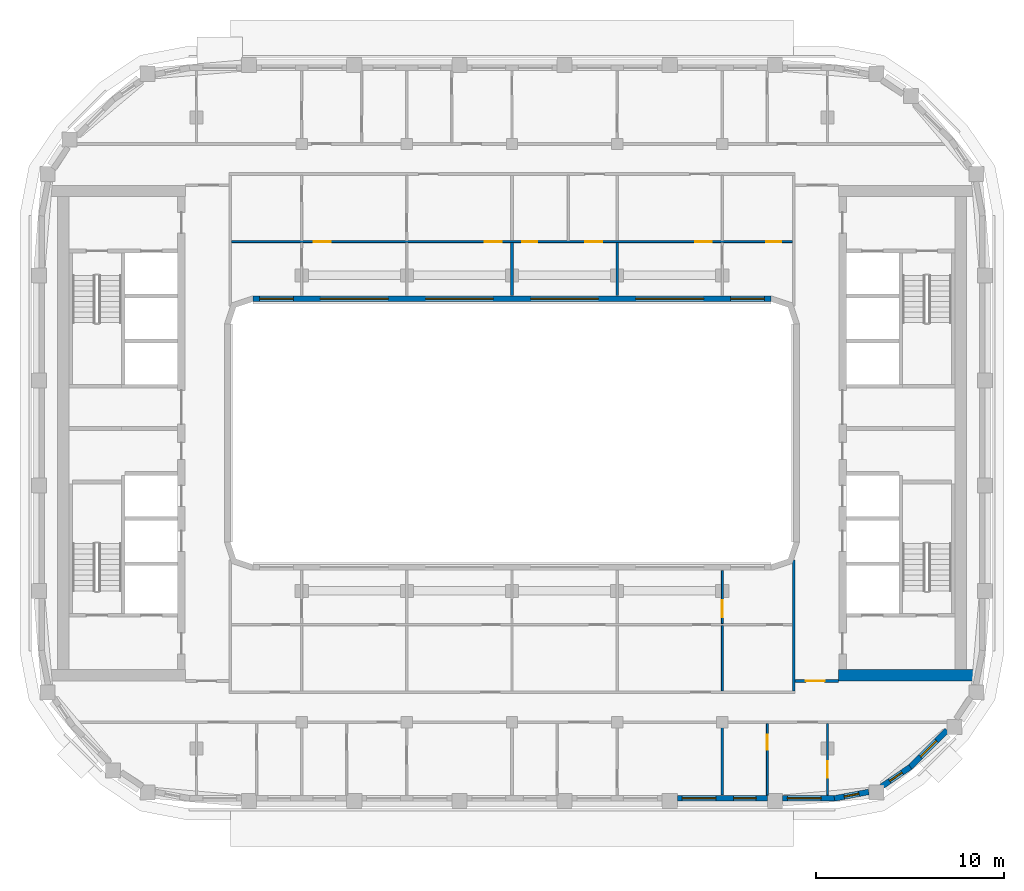
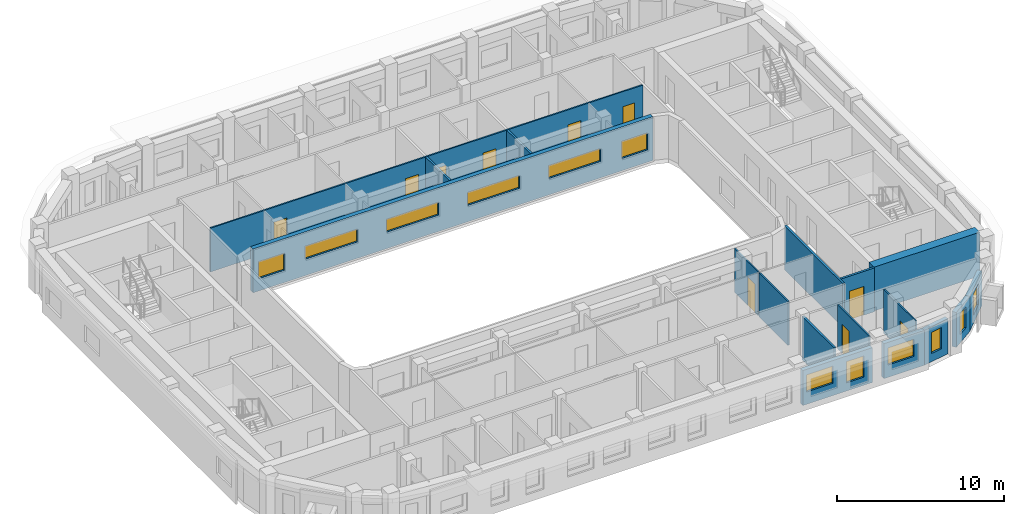
# One storey, part 5 of 16: 17 walls, 12 windows, 10 doors, 22 openings.
"""IFC4 building model written with IfcOpenShell, lengths in metres."""

from ifc_helpers import new_model, si_unit, direction, frame, frame_2d, origin, place, context, subcontext, project, spatial, rectangle, extrude, material, layer, layer_set, type_object, element, fill, save


model = new_model("IFC4")

# Units and contexts
model_context = context("Model", 3, precision=1e-05, world=origin(), true_north=direction((0.0, 1.0)))
body_context = subcontext(model_context, "Body", "Model", "MODEL_VIEW")
ifc_project = project(units=[si_unit("LENGTHUNIT", "METRE"), si_unit("AREAUNIT", "SQUARE_METRE"), si_unit("VOLUMEUNIT", "CUBIC_METRE"), si_unit("PLANEANGLEUNIT", "RADIAN"), si_unit("MASSUNIT", "GRAM", prefix="KILO")], contexts=[model_context])

# Site, building, storey
site_placement = place(None, origin())
site = spatial("IfcSite", under=ifc_project, at=site_placement, CompositionType="ELEMENT")
building_placement = place(site_placement, origin())
building = spatial("IfcBuilding", under=site, at=building_placement, Name="Kiln Ring Residences", CompositionType="ELEMENT")
storey_placement = place(building_placement, frame((0.0, 0.0, 245.199951171875)))
storey = spatial("IfcBuildingStorey", under=building, at=storey_placement, Name="L63", CompositionType="ELEMENT", Elevation=245.199951171875)

# Wall
ifc_material_1 = material(Name="Concrete C60/75", Category="concrete")
ifc_layer_1 = layer(ifc_material_1, 0.60009765625)
ifc_layer_set_1 = layer_set([ifc_layer_1], Name="CORE-WALL-RC600")
wall_type_1 = type_object("IfcWallType", Name="CORE-WALL-RC600", PredefinedType="SHEAR", material=ifc_layer_set_1)
wall_1_placement = place(storey_placement, frame((17.39990234375, -12.89990234375, 0.0), z_axis=(0.0, 0.0, 1.0), x_axis=(1.0, 0.0, 0.0)))
element("IfcWall", 1, at=wall_1_placement, inside=storey, type_object=wall_type_1, Name="Core wall east L63 5", PredefinedType="SHEAR", context=body_context, shape_type="SweptSolid", body=[
    extrude(rectangle(XDim=7.320068359375, YDim=0.60009765625, at=frame_2d((3.66015625, 0.0))), origin(), (0.0, 0.0, 1.0), 3.199951171875),
])

# Wall, openings, windows
ifc_material_2 = material(Name="Brick masonry, dark clay brick", Category="masonry")
ifc_layer_2 = layer(ifc_material_2, 0.300048828125)
ifc_layer_set_2 = layer_set([ifc_layer_2], Name="EW-300 BRICK WALL")
wall_type_2 = type_object("IfcWallType", Name="EW-300 BRICK WALL", PredefinedType="SOLIDWALL", material=ifc_layer_set_2)
wall_2_placement = place(storey_placement, frame((8.800048828125, -19.449951171875, 0.0), z_axis=(0.0, 0.0, 1.0), x_axis=(1.0, 0.0, 0.0)))
wall_2 = element("IfcWall", 2, at=wall_2_placement, inside=storey, type_object=wall_type_2, Name="Facade wall L63 9", PredefinedType="SOLIDWALL", context=body_context, shape_type="SweptSolid", body=[
    extrude(rectangle(XDim=4.800048828125, YDim=0.300048828125, at=frame_2d((2.39990234375, 0.0))), origin(), (0.0, 0.0, 1.0), 2.550048828125),
])
opening_1_placement = place(wall_2_placement, frame((0.262451171875, 0.0, 0.89990234375)))
opening_1 = element("IfcOpeningElement", 3, at=opening_1_placement, cuts=wall_2, Name="Opening W2", PredefinedType="OPENING", context=body_context, shape_type="SweptSolid", body=[
    extrude(rectangle(XDim=1.800048828125, YDim=1.25, at=frame_2d((0.89990234375, 0.625))), frame((0.0, 0.159912109375, 0.0), z_axis=(0.0, -1.0, 0.0), x_axis=(1.0, 0.0, 0.0)), (0.0, 0.0, 1.0), 0.320068359375),
])
opening_2_placement = place(wall_2_placement, frame((3.0, 0.0, 0.60009765625)))
opening_2 = element("IfcOpeningElement", 4, at=opening_2_placement, cuts=wall_2, Name="Opening W1", PredefinedType="OPENING", context=body_context, shape_type="SweptSolid", body=[
    extrude(rectangle(XDim=1.199951171875, YDim=1.550048828125, at=frame_2d((0.60009765625, 0.77490234375))), frame((0.0, 0.159912109375, 0.0), z_axis=(0.0, -1.0, 0.0), x_axis=(1.0, 0.0, 0.0)), (0.0, 0.0, 1.0), 0.320068359375),
])
ifc_material_3 = material(Name="Aluminium frame with double glazing", Category="aluminium")
window_type_1 = type_object("IfcWindowType", Name="WINDOW 1200 x 1550", PartitioningType="SINGLE_PANEL", PredefinedType="WINDOW", material=ifc_material_3)
window_1_placement = place(opening_2_placement, origin())
window_1 = element("IfcWindow", 5, at=window_1_placement, inside=storey, type_object=window_type_1, Name="Window L63 13", OverallHeight=1.550048828125, OverallWidth=1.199951171875, PartitioningType="SINGLE_PANEL", PredefinedType="WINDOW", context=body_context, shape_type="SweptSolid", body=[
    extrude(rectangle(XDim=1.199951171875, YDim=1.550048828125, at=frame_2d((0.60009765625, 0.77490234375))), frame((0.0, 0.030029296875, 0.0), z_axis=(0.0, -1.0, 0.0), x_axis=(1.0, 0.0, 0.0)), (0.0, 0.0, 1.0), 0.06005859375),
])
fill(opening_2, window_1)
ifc_material_4 = material(Name="Aluminium frame with double glazing", Category="aluminium")
window_type_2 = type_object("IfcWindowType", Name="WINDOW 1800 x 1250", PartitioningType="SINGLE_PANEL", PredefinedType="WINDOW", material=ifc_material_4)
window_2_placement = place(opening_1_placement, origin())
window_2 = element("IfcWindow", 6, at=window_2_placement, inside=storey, type_object=window_type_2, Name="Window L63 12", OverallHeight=1.25, OverallWidth=1.800048828125, PartitioningType="SINGLE_PANEL", PredefinedType="WINDOW", context=body_context, shape_type="SweptSolid", body=[
    extrude(rectangle(XDim=1.800048828125, YDim=1.25, at=frame_2d((0.89990234375, 0.625))), frame((0.0, 0.030029296875, 0.0), z_axis=(0.0, -1.0, 0.0), x_axis=(1.0, 0.0, 0.0)), (0.0, 0.0, 1.0), 0.06005859375),
])
fill(opening_1, window_2)

# Wall, opening, window
wall_3_placement = place(storey_placement, frame((14.39990234375, -19.449951171875, 0.0), z_axis=(0.0, 0.0, 1.0), x_axis=(1.0, 0.0, 0.0)))
wall_3 = element("IfcWall", 7, at=wall_3_placement, inside=storey, type_object=wall_type_2, Name="Facade wall L63 10", PredefinedType="SOLIDWALL", context=body_context, shape_type="SweptSolid", body=[
    extrude(rectangle(XDim=2.800048828125, YDim=0.300048828125, at=frame_2d((1.39990234375, 0.0))), origin(), (0.0, 0.0, 1.0), 2.550048828125),
])
opening_3_placement = place(wall_3_placement, frame((0.262451171875, 0.0, 0.89990234375)))
opening_3 = element("IfcOpeningElement", 8, at=opening_3_placement, cuts=wall_3, Name="Opening W2", PredefinedType="OPENING", context=body_context, shape_type="SweptSolid", body=[
    extrude(rectangle(XDim=1.800048828125, YDim=1.25, at=frame_2d((0.89990234375, 0.625))), frame((0.0, 0.159912109375, 0.0), z_axis=(0.0, -1.0, 0.0), x_axis=(1.0, 0.0, 0.0)), (0.0, 0.0, 1.0), 0.320068359375),
])
window_3_placement = place(opening_3_placement, origin())
window_3 = element("IfcWindow", 9, at=window_3_placement, inside=storey, type_object=window_type_2, Name="Window L63 14", OverallHeight=1.25, OverallWidth=1.800048828125, PartitioningType="SINGLE_PANEL", PredefinedType="WINDOW", context=body_context, shape_type="SweptSolid", body=[
    extrude(rectangle(XDim=1.800048828125, YDim=1.25, at=frame_2d((0.89990234375, 0.625))), frame((0.0, 0.030029296875, 0.0), z_axis=(0.0, -1.0, 0.0), x_axis=(1.0, 0.0, 0.0)), (0.0, 0.0, 1.0), 0.06005859375),
])
fill(opening_3, window_3)

wall_4_placement = place(storey_placement, frame((17.171875, -19.45263671875, 0.0), z_axis=(0.0, 0.0, 1.0), x_axis=(0.982301706131, 0.187305520826, 0.0)))
wall_4 = element("IfcWall", 10, at=wall_4_placement, inside=storey, type_object=wall_type_2, Name="Facade wall L63 11", PredefinedType="SOLIDWALL", context=body_context, shape_type="SweptSolid", body=[
    extrude(rectangle(XDim=1.856201171875, YDim=0.300048828125, at=frame_2d((0.92822265625, 0.0))), origin(), (0.0, 0.0, 1.0), 2.550048828125),
])
opening_4_placement = place(wall_4_placement, frame((0.528076171875, 0.0, 0.60009765625)))
opening_4 = element("IfcOpeningElement", 11, at=opening_4_placement, cuts=wall_4, Name="Opening W5", PredefinedType="OPENING", context=body_context, shape_type="SweptSolid", body=[
    extrude(rectangle(XDim=0.800048828125, YDim=1.550048828125, at=frame_2d((0.39990234375, 0.77490234375))), frame((0.0, 0.159912109375, 0.0), z_axis=(0.0, -1.0, 0.0), x_axis=(1.0, 0.0, 0.0)), (0.0, 0.0, 1.0), 0.320068359375),
])
ifc_material_5 = material(Name="Aluminium frame with double glazing", Category="aluminium")
window_type_3 = type_object("IfcWindowType", Name="WINDOW 800 x 1550", PartitioningType="SINGLE_PANEL", PredefinedType="WINDOW", material=ifc_material_5)
window_4_placement = place(opening_4_placement, origin())
window_4 = element("IfcWindow", 12, at=window_4_placement, inside=storey, type_object=window_type_3, Name="Window L63 15", OverallHeight=1.550048828125, OverallWidth=0.800048828125, PartitioningType="SINGLE_PANEL", PredefinedType="WINDOW", context=body_context, shape_type="SweptSolid", body=[
    extrude(rectangle(XDim=0.800048828125, YDim=1.550048828125, at=frame_2d((0.39990234375, 0.77490234375))), frame((0.0, 0.030029296875, 0.0), z_axis=(0.0, -1.0, 0.0), x_axis=(1.0, 0.0, 0.0)), (0.0, 0.0, 1.0), 0.06005859375),
])
fill(opening_4, window_4)

wall_5_placement = place(storey_placement, frame((19.677734375, -18.822265625, 0.0), z_axis=(0.0, 0.0, 1.0), x_axis=(0.826997446962, 0.562205676526, 0.0)))
wall_5 = element("IfcWall", 13, at=wall_5_placement, inside=storey, type_object=wall_type_2, Name="Facade wall L63 12", PredefinedType="SOLIDWALL", context=body_context, shape_type="SweptSolid", body=[
    extrude(rectangle(XDim=1.85595703125, YDim=0.300048828125, at=frame_2d((0.927978515625, 0.0))), origin(), (0.0, 0.0, 1.0), 2.550048828125),
])
opening_5_placement = place(wall_5_placement, frame((0.528076171875, 0.0, 0.60009765625)))
opening_5 = element("IfcOpeningElement", 14, at=opening_5_placement, cuts=wall_5, Name="Opening W5", PredefinedType="OPENING", context=body_context, shape_type="SweptSolid", body=[
    extrude(rectangle(XDim=0.800048828125, YDim=1.550048828125, at=frame_2d((0.39990234375, 0.77490234375))), frame((0.0, 0.159912109375, 0.0), z_axis=(0.0, -1.0, 0.0), x_axis=(1.0, 0.0, 0.0)), (0.0, 0.0, 1.0), 0.320068359375),
])
window_5_placement = place(opening_5_placement, origin())
window_5 = element("IfcWindow", 15, at=window_5_placement, inside=storey, type_object=window_type_3, Name="Window L63 16", OverallHeight=1.550048828125, OverallWidth=0.800048828125, PartitioningType="SINGLE_PANEL", PredefinedType="WINDOW", context=body_context, shape_type="SweptSolid", body=[
    extrude(rectangle(XDim=0.800048828125, YDim=1.550048828125, at=frame_2d((0.39990234375, 0.77490234375))), frame((0.0, 0.030029296875, 0.0), z_axis=(0.0, -1.0, 0.0), x_axis=(1.0, 0.0, 0.0)), (0.0, 0.0, 1.0), 0.06005859375),
])
fill(opening_5, window_5)

wall_6_placement = place(storey_placement, frame((21.19091796875, -17.796875, 0.0), z_axis=(0.0, 0.0, 1.0), x_axis=(0.707106781187, 0.707106781187, 0.0)))
wall_6 = element("IfcWall", 16, at=wall_6_placement, inside=storey, type_object=wall_type_2, Name="Facade wall L63 13", PredefinedType="SOLIDWALL", context=body_context, shape_type="SweptSolid", body=[
    extrude(rectangle(XDim=2.800048828125, YDim=0.300048828125, at=frame_2d((1.39990234375, 0.0))), origin(), (0.0, 0.0, 1.0), 2.550048828125),
])
opening_6_placement = place(wall_6_placement, frame((0.800048828125, 0.0, 0.60009765625)))
opening_6 = element("IfcOpeningElement", 17, at=opening_6_placement, cuts=wall_6, Name="Opening W1", PredefinedType="OPENING", context=body_context, shape_type="SweptSolid", body=[
    extrude(rectangle(XDim=1.199951171875, YDim=1.550048828125, at=frame_2d((0.60009765625, 0.77490234375))), frame((0.0, 0.159912109375, 0.0), z_axis=(0.0, -1.0, 0.0), x_axis=(1.0, 0.0, 0.0)), (0.0, 0.0, 1.0), 0.320068359375),
])
window_6_placement = place(opening_6_placement, origin())
window_6 = element("IfcWindow", 18, at=window_6_placement, inside=storey, type_object=window_type_1, Name="Window L63 17", OverallHeight=1.550048828125, OverallWidth=1.199951171875, PartitioningType="SINGLE_PANEL", PredefinedType="WINDOW", context=body_context, shape_type="SweptSolid", body=[
    extrude(rectangle(XDim=1.199951171875, YDim=1.550048828125, at=frame_2d((0.60009765625, 0.77490234375))), frame((0.0, 0.030029296875, 0.0), z_axis=(0.0, -1.0, 0.0), x_axis=(1.0, 0.0, 0.0)), (0.0, 0.0, 1.0), 0.06005859375),
])
fill(opening_6, window_6)

# Wall, openings, windows
wall_7_placement = place(storey_placement, frame((-13.800048828125, 7.14990234375, 0.0), z_axis=(0.0, 0.0, 1.0), x_axis=(1.0, 0.0, 0.0)))
wall_7 = element("IfcWall", 19, at=wall_7_placement, inside=storey, type_object=wall_type_2, Name="Facade wall L63 46", PredefinedType="SOLIDWALL", context=body_context, shape_type="SweptSolid", body=[
    extrude(rectangle(XDim=27.60009765625, YDim=0.300048828125, at=frame_2d((13.800048828125, 0.0))), origin(), (0.0, 0.0, 1.0), 3.199951171875),
])
opening_7_placement = place(wall_7_placement, frame((0.362548828125, 0.0, 0.89990234375)))
opening_7 = element("IfcOpeningElement", 20, at=opening_7_placement, cuts=wall_7, Name="Opening W2", PredefinedType="OPENING", context=body_context, shape_type="SweptSolid", body=[
    extrude(rectangle(XDim=1.800048828125, YDim=1.25, at=frame_2d((0.89990234375, 0.625))), frame((0.0, 0.159912109375, 0.0), z_axis=(0.0, -1.0, 0.0), x_axis=(1.0, 0.0, 0.0)), (0.0, 0.0, 1.0), 0.320068359375),
])
opening_8_placement = place(wall_7_placement, frame((3.60009765625, 0.0, 1.199951171875)))
opening_8 = element("IfcOpeningElement", 21, at=opening_8_placement, cuts=wall_7, Name="Opening W4", PredefinedType="OPENING", context=body_context, shape_type="SweptSolid", body=[
    extrude(rectangle(XDim=3.60009765625, YDim=0.949951171875, at=frame_2d((1.800048828125, 0.47509765625))), frame((0.0, 0.159912109375, 0.0), z_axis=(0.0, -1.0, 0.0), x_axis=(1.0, 0.0, 0.0)), (0.0, 0.0, 1.0), 0.320068359375),
])
opening_9_placement = place(wall_7_placement, frame((9.199951171875, 0.0, 1.199951171875)))
opening_9 = element("IfcOpeningElement", 22, at=opening_9_placement, cuts=wall_7, Name="Opening W4", PredefinedType="OPENING", context=body_context, shape_type="SweptSolid", body=[
    extrude(rectangle(XDim=3.60009765625, YDim=0.949951171875, at=frame_2d((1.800048828125, 0.47509765625))), frame((0.0, 0.159912109375, 0.0), z_axis=(0.0, -1.0, 0.0), x_axis=(1.0, 0.0, 0.0)), (0.0, 0.0, 1.0), 0.320068359375),
])
opening_10_placement = place(wall_7_placement, frame((14.800048828125, 0.0, 1.199951171875)))
opening_10 = element("IfcOpeningElement", 23, at=opening_10_placement, cuts=wall_7, Name="Opening W4", PredefinedType="OPENING", context=body_context, shape_type="SweptSolid", body=[
    extrude(rectangle(XDim=3.60009765625, YDim=0.949951171875, at=frame_2d((1.800048828125, 0.47509765625))), frame((0.0, 0.159912109375, 0.0), z_axis=(0.0, -1.0, 0.0), x_axis=(1.0, 0.0, 0.0)), (0.0, 0.0, 1.0), 0.320068359375),
])
opening_11_placement = place(wall_7_placement, frame((20.39990234375, 0.0, 1.199951171875)))
opening_11 = element("IfcOpeningElement", 24, at=opening_11_placement, cuts=wall_7, Name="Opening W4", PredefinedType="OPENING", context=body_context, shape_type="SweptSolid", body=[
    extrude(rectangle(XDim=3.60009765625, YDim=0.949951171875, at=frame_2d((1.800048828125, 0.47509765625))), frame((0.0, 0.159912109375, 0.0), z_axis=(0.0, -1.0, 0.0), x_axis=(1.0, 0.0, 0.0)), (0.0, 0.0, 1.0), 0.320068359375),
])
opening_12_placement = place(wall_7_placement, frame((25.4375, 0.0, 0.89990234375)))
opening_12 = element("IfcOpeningElement", 25, at=opening_12_placement, cuts=wall_7, Name="Opening W2", PredefinedType="OPENING", context=body_context, shape_type="SweptSolid", body=[
    extrude(rectangle(XDim=1.800048828125, YDim=1.25, at=frame_2d((0.89990234375, 0.625))), frame((0.0, 0.159912109375, 0.0), z_axis=(0.0, -1.0, 0.0), x_axis=(1.0, 0.0, 0.0)), (0.0, 0.0, 1.0), 0.320068359375),
])
window_7_placement = place(opening_7_placement, origin())
window_7 = element("IfcWindow", 26, at=window_7_placement, inside=storey, type_object=window_type_2, Name="Window L63 37", OverallHeight=1.25, OverallWidth=1.800048828125, PartitioningType="SINGLE_PANEL", PredefinedType="WINDOW", context=body_context, shape_type="SweptSolid", body=[
    extrude(rectangle(XDim=1.800048828125, YDim=1.25, at=frame_2d((0.89990234375, 0.625))), frame((0.0, 0.030029296875, 0.0), z_axis=(0.0, -1.0, 0.0), x_axis=(1.0, 0.0, 0.0)), (0.0, 0.0, 1.0), 0.06005859375),
])
fill(opening_7, window_7)
window_8_placement = place(opening_12_placement, origin())
window_8 = element("IfcWindow", 27, at=window_8_placement, inside=storey, type_object=window_type_2, Name="Window L63 42", OverallHeight=1.25, OverallWidth=1.800048828125, PartitioningType="SINGLE_PANEL", PredefinedType="WINDOW", context=body_context, shape_type="SweptSolid", body=[
    extrude(rectangle(XDim=1.800048828125, YDim=1.25, at=frame_2d((0.89990234375, 0.625))), frame((0.0, 0.030029296875, 0.0), z_axis=(0.0, -1.0, 0.0), x_axis=(1.0, 0.0, 0.0)), (0.0, 0.0, 1.0), 0.06005859375),
])
fill(opening_12, window_8)
ifc_material_6 = material(Name="Aluminium frame with double glazing", Category="aluminium")
window_type_4 = type_object("IfcWindowType", Name="WINDOW 3600 x 950", PartitioningType="SINGLE_PANEL", PredefinedType="WINDOW", material=ifc_material_6)
window_9_placement = place(opening_8_placement, origin())
window_9 = element("IfcWindow", 28, at=window_9_placement, inside=storey, type_object=window_type_4, Name="Window L63 38", OverallHeight=0.949951171875, OverallWidth=3.60009765625, PartitioningType="SINGLE_PANEL", PredefinedType="WINDOW", context=body_context, shape_type="SweptSolid", body=[
    extrude(rectangle(XDim=3.60009765625, YDim=0.949951171875, at=frame_2d((1.800048828125, 0.47509765625))), frame((0.0, 0.030029296875, 0.0), z_axis=(0.0, -1.0, 0.0), x_axis=(1.0, 0.0, 0.0)), (0.0, 0.0, 1.0), 0.06005859375),
])
fill(opening_8, window_9)
window_10_placement = place(opening_9_placement, origin())
window_10 = element("IfcWindow", 29, at=window_10_placement, inside=storey, type_object=window_type_4, Name="Window L63 39", OverallHeight=0.949951171875, OverallWidth=3.60009765625, PartitioningType="SINGLE_PANEL", PredefinedType="WINDOW", context=body_context, shape_type="SweptSolid", body=[
    extrude(rectangle(XDim=3.60009765625, YDim=0.949951171875, at=frame_2d((1.800048828125, 0.47509765625))), frame((0.0, 0.030029296875, 0.0), z_axis=(0.0, -1.0, 0.0), x_axis=(1.0, 0.0, 0.0)), (0.0, 0.0, 1.0), 0.06005859375),
])
fill(opening_9, window_10)
window_11_placement = place(opening_10_placement, origin())
window_11 = element("IfcWindow", 30, at=window_11_placement, inside=storey, type_object=window_type_4, Name="Window L63 40", OverallHeight=0.949951171875, OverallWidth=3.60009765625, PartitioningType="SINGLE_PANEL", PredefinedType="WINDOW", context=body_context, shape_type="SweptSolid", body=[
    extrude(rectangle(XDim=3.60009765625, YDim=0.949951171875, at=frame_2d((1.800048828125, 0.47509765625))), frame((0.0, 0.030029296875, 0.0), z_axis=(0.0, -1.0, 0.0), x_axis=(1.0, 0.0, 0.0)), (0.0, 0.0, 1.0), 0.06005859375),
])
fill(opening_10, window_11)
window_12_placement = place(opening_11_placement, origin())
window_12 = element("IfcWindow", 31, at=window_12_placement, inside=storey, type_object=window_type_4, Name="Window L63 41", OverallHeight=0.949951171875, OverallWidth=3.60009765625, PartitioningType="SINGLE_PANEL", PredefinedType="WINDOW", context=body_context, shape_type="SweptSolid", body=[
    extrude(rectangle(XDim=3.60009765625, YDim=0.949951171875, at=frame_2d((1.800048828125, 0.47509765625))), frame((0.0, 0.030029296875, 0.0), z_axis=(0.0, -1.0, 0.0), x_axis=(1.0, 0.0, 0.0)), (0.0, 0.0, 1.0), 0.06005859375),
])
fill(opening_11, window_12)

# Wall, openings, doors
ifc_material_7 = material(Name="Gypsum board on steel studs", Category="steel")
ifc_layer_3 = layer(ifc_material_7, 0.10009765625)
ifc_layer_set_3 = layer_set([ifc_layer_3], Name="PARTITION-100")
wall_type_3 = type_object("IfcWallType", Name="PARTITION-100", PredefinedType="PARTITIONING", material=ifc_layer_set_3)
wall_8_placement = place(storey_placement, frame((-14.925048828125, 10.199951171875, 0.0), z_axis=(0.0, 0.0, 1.0), x_axis=(1.0, 0.0, 0.0)))
wall_8 = element("IfcWall", 32, at=wall_8_placement, inside=storey, type_object=wall_type_3, Name="Partition 005", PredefinedType="PARTITIONING", context=body_context, shape_type="SweptSolid", body=[
    extrude(rectangle(XDim=29.85009765625, YDim=0.10009765625, at=frame_2d((14.925048828125, 0.0))), origin(), (0.0, 0.0, 1.0), 3.199951171875),
])
opening_13_placement = place(wall_8_placement, frame((13.47509765625, 0.0, 0.0)))
opening_13 = element("IfcOpeningElement", 33, at=opening_13_placement, cuts=wall_8, Name="Opening L63-D008", PredefinedType="OPENING", context=body_context, shape_type="SweptSolid", body=[
    extrude(rectangle(XDim=0.89990234375, YDim=2.10009765625, at=frame_2d((0.449951171875, 1.050048828125))), frame((0.0, 0.06005859375, 0.0), z_axis=(0.0, -1.0, 0.0), x_axis=(1.0, 0.0, 0.0)), (0.0, 0.0, 1.0), 0.1201171875),
])
opening_14_placement = place(wall_8_placement, frame((4.375, 0.0, 0.0)))
opening_14 = element("IfcOpeningElement", 34, at=opening_14_placement, cuts=wall_8, Name="Opening L63-D009", PredefinedType="OPENING", context=body_context, shape_type="SweptSolid", body=[
    extrude(rectangle(XDim=0.89990234375, YDim=2.10009765625, at=frame_2d((0.449951171875, 1.050048828125))), frame((0.0, 0.06005859375, 0.0), z_axis=(0.0, -1.0, 0.0), x_axis=(1.0, 0.0, 0.0)), (0.0, 0.0, 1.0), 0.1201171875),
])
opening_15_placement = place(wall_8_placement, frame((15.47509765625, 0.0, 0.0)))
opening_15 = element("IfcOpeningElement", 35, at=opening_15_placement, cuts=wall_8, Name="Opening L63-D012", PredefinedType="OPENING", context=body_context, shape_type="SweptSolid", body=[
    extrude(rectangle(XDim=0.800048828125, YDim=2.10009765625, at=frame_2d((0.39990234375, 1.050048828125))), frame((0.0, 0.06005859375, 0.0), z_axis=(0.0, -1.0, 0.0), x_axis=(1.0, 0.0, 0.0)), (0.0, 0.0, 1.0), 0.1201171875),
])
opening_16_placement = place(wall_8_placement, frame((18.824951171875, 0.0, 0.0)))
opening_16 = element("IfcOpeningElement", 36, at=opening_16_placement, cuts=wall_8, Name="Opening L63-D013", PredefinedType="OPENING", context=body_context, shape_type="SweptSolid", body=[
    extrude(rectangle(XDim=0.89990234375, YDim=2.10009765625, at=frame_2d((0.449951171875, 1.050048828125))), frame((0.0, 0.06005859375, 0.0), z_axis=(0.0, -1.0, 0.0), x_axis=(1.0, 0.0, 0.0)), (0.0, 0.0, 1.0), 0.1201171875),
])
opening_17_placement = place(wall_8_placement, frame((28.47412109375, 0.0, 0.0)))
opening_17 = element("IfcOpeningElement", 37, at=opening_17_placement, cuts=wall_8, Name="Opening L63-D015", PredefinedType="OPENING", context=body_context, shape_type="SweptSolid", body=[
    extrude(rectangle(XDim=0.800048828125, YDim=2.10009765625, at=frame_2d((0.39990234375, 1.050048828125))), frame((0.0, 0.06005859375, 0.0), z_axis=(0.0, -1.0, 0.0), x_axis=(1.0, 0.0, 0.0)), (0.0, 0.0, 1.0), 0.1201171875),
])
opening_18_placement = place(wall_8_placement, frame((24.675048828125, 0.0, 0.0)))
opening_18 = element("IfcOpeningElement", 38, at=opening_18_placement, cuts=wall_8, Name="Opening L63-D016", PredefinedType="OPENING", context=body_context, shape_type="SweptSolid", body=[
    extrude(rectangle(XDim=0.89990234375, YDim=2.10009765625, at=frame_2d((0.449951171875, 1.050048828125))), frame((0.0, 0.06005859375, 0.0), z_axis=(0.0, -1.0, 0.0), x_axis=(1.0, 0.0, 0.0)), (0.0, 0.0, 1.0), 0.1201171875),
])
ifc_material_8 = material(Name="Timber door leaf", Category="wood")
door_type_1 = type_object("IfcDoorType", Name="FLAT-DOOR-800-PL", OperationType="SINGLE_SWING_LEFT", PredefinedType="DOOR", material=ifc_material_8)
door_1_placement = place(opening_15_placement, origin())
door_1 = element("IfcDoor", 39, at=door_1_placement, inside=storey, type_object=door_type_1, Name="Door L63-D012", OperationType="SINGLE_SWING_RIGHT", OverallHeight=2.10009765625, OverallWidth=0.800048828125, PredefinedType="DOOR", context=body_context, shape_type="SweptSolid", body=[
    extrude(rectangle(XDim=0.800048828125, YDim=2.10009765625, at=frame_2d((0.39990234375, 1.050048828125))), frame((0.0, 0.02490234375, 0.0), z_axis=(0.0, -1.0, 0.0), x_axis=(1.0, 0.0, 0.0)), (0.0, 0.0, 1.0), 0.050048828125),
])
fill(opening_15, door_1)
door_2_placement = place(opening_17_placement, origin())
door_2 = element("IfcDoor", 40, at=door_2_placement, inside=storey, type_object=door_type_1, Name="Door L63-D015", OperationType="SINGLE_SWING_LEFT", OverallHeight=2.10009765625, OverallWidth=0.800048828125, PredefinedType="DOOR", context=body_context, shape_type="SweptSolid", body=[
    extrude(rectangle(XDim=0.800048828125, YDim=2.10009765625, at=frame_2d((0.39990234375, 1.050048828125))), frame((0.0, 0.02490234375, 0.0), z_axis=(0.0, -1.0, 0.0), x_axis=(1.0, 0.0, 0.0)), (0.0, 0.0, 1.0), 0.050048828125),
])
fill(opening_17, door_2)
ifc_material_9 = material(Name="Timber door leaf", Category="wood")
door_type_2 = type_object("IfcDoorType", Name="FLAT-DOOR-900-PL", OperationType="SINGLE_SWING_LEFT", PredefinedType="DOOR", material=ifc_material_9)
door_3_placement = place(opening_13_placement, origin())
door_3 = element("IfcDoor", 41, at=door_3_placement, inside=storey, type_object=door_type_2, Name="Door L63-D008", OperationType="SINGLE_SWING_RIGHT", OverallHeight=2.10009765625, OverallWidth=0.89990234375, PredefinedType="DOOR", context=body_context, shape_type="SweptSolid", body=[
    extrude(rectangle(XDim=0.89990234375, YDim=2.10009765625, at=frame_2d((0.449951171875, 1.050048828125))), frame((0.0, 0.02490234375, 0.0), z_axis=(0.0, -1.0, 0.0), x_axis=(1.0, 0.0, 0.0)), (0.0, 0.0, 1.0), 0.050048828125),
])
fill(opening_13, door_3)
door_4_placement = place(opening_14_placement, origin())
door_4 = element("IfcDoor", 42, at=door_4_placement, inside=storey, type_object=door_type_2, Name="Door L63-D009", OperationType="SINGLE_SWING_LEFT", OverallHeight=2.10009765625, OverallWidth=0.89990234375, PredefinedType="DOOR", context=body_context, shape_type="SweptSolid", body=[
    extrude(rectangle(XDim=0.89990234375, YDim=2.10009765625, at=frame_2d((0.449951171875, 1.050048828125))), frame((0.0, 0.02490234375, 0.0), z_axis=(0.0, -1.0, 0.0), x_axis=(1.0, 0.0, 0.0)), (0.0, 0.0, 1.0), 0.050048828125),
])
fill(opening_14, door_4)
door_5_placement = place(opening_16_placement, origin())
door_5 = element("IfcDoor", 43, at=door_5_placement, inside=storey, type_object=door_type_2, Name="Door L63-D013", OperationType="SINGLE_SWING_LEFT", OverallHeight=2.10009765625, OverallWidth=0.89990234375, PredefinedType="DOOR", context=body_context, shape_type="SweptSolid", body=[
    extrude(rectangle(XDim=0.89990234375, YDim=2.10009765625, at=frame_2d((0.449951171875, 1.050048828125))), frame((0.0, 0.02490234375, 0.0), z_axis=(0.0, -1.0, 0.0), x_axis=(1.0, 0.0, 0.0)), (0.0, 0.0, 1.0), 0.050048828125),
])
fill(opening_16, door_5)
door_6_placement = place(opening_18_placement, origin())
door_6 = element("IfcDoor", 44, at=door_6_placement, inside=storey, type_object=door_type_2, Name="Door L63-D016", OperationType="SINGLE_SWING_RIGHT", OverallHeight=2.10009765625, OverallWidth=0.89990234375, PredefinedType="DOOR", context=body_context, shape_type="SweptSolid", body=[
    extrude(rectangle(XDim=0.89990234375, YDim=2.10009765625, at=frame_2d((0.449951171875, 1.050048828125))), frame((0.0, 0.02490234375, 0.0), z_axis=(0.0, -1.0, 0.0), x_axis=(1.0, 0.0, 0.0)), (0.0, 0.0, 1.0), 0.050048828125),
])
fill(opening_18, door_6)

# Wall
wall_9_placement = place(storey_placement, frame((11.199951171875, -13.72509765625, 0.0), z_axis=(0.0, 0.0, 1.0), x_axis=(0.0, 1.0, 0.0)))
element("IfcWall", 45, at=wall_9_placement, inside=storey, type_object=wall_type_3, Name="Partition 044", PredefinedType="PARTITIONING", context=body_context, shape_type="SweptSolid", body=[
    extrude(rectangle(XDim=3.47509765625, YDim=0.10009765625, at=frame_2d((1.737548828125, 0.0))), origin(), (0.0, 0.0, 1.0), 3.199951171875),
])

# Wall, opening, door
wall_10_placement = place(storey_placement, frame((11.199951171875, -10.14990234375, 0.0), z_axis=(0.0, 0.0, 1.0), x_axis=(0.0, 1.0, 0.0)))
wall_10 = element("IfcWall", 46, at=wall_10_placement, inside=storey, type_object=wall_type_3, Name="Partition 045", PredefinedType="PARTITIONING", context=body_context, shape_type="SweptSolid", body=[
    extrude(rectangle(XDim=2.829833984375, YDim=0.10009765625, at=frame_2d((1.4150390625, 0.0))), origin(), (0.0, 0.0, 1.0), 3.199951171875),
])
opening_19_placement = place(wall_10_placement, frame((0.35009765625, 0.0, 0.0)))
opening_19 = element("IfcOpeningElement", 47, at=opening_19_placement, cuts=wall_10, Name="Opening L63-D040", PredefinedType="OPENING", context=body_context, shape_type="SweptSolid", body=[
    extrude(rectangle(XDim=0.89990234375, YDim=2.10009765625, at=frame_2d((0.449951171875, 1.050048828125))), frame((0.0, 0.06005859375, 0.0), z_axis=(0.0, -1.0, 0.0), x_axis=(1.0, 0.0, 0.0)), (0.0, 0.0, 1.0), 0.1201171875),
])
door_7_placement = place(opening_19_placement, origin())
door_7 = element("IfcDoor", 48, at=door_7_placement, inside=storey, type_object=door_type_2, Name="Door L63-D040", OperationType="SINGLE_SWING_LEFT", OverallHeight=2.10009765625, OverallWidth=0.89990234375, PredefinedType="DOOR", context=body_context, shape_type="SweptSolid", body=[
    extrude(rectangle(XDim=0.89990234375, YDim=2.10009765625, at=frame_2d((0.449951171875, 1.050048828125))), frame((0.0, 0.02490234375, 0.0), z_axis=(0.0, -1.0, 0.0), x_axis=(1.0, 0.0, 0.0)), (0.0, 0.0, 1.0), 0.050048828125),
])
fill(opening_19, door_7)

wall_11_placement = place(storey_placement, frame((13.60009765625, -19.280029296875, 0.0), z_axis=(0.0, 0.0, 1.0), x_axis=(0.0, 1.0, 0.0)))
wall_11 = element("IfcWall", 49, at=wall_11_placement, inside=storey, type_object=wall_type_3, Name="Partition 050", PredefinedType="PARTITIONING", context=body_context, shape_type="SweptSolid", body=[
    extrude(rectangle(XDim=3.804931640625, YDim=0.10009765625, at=frame_2d((1.90234375, 0.0))), origin(), (0.0, 0.0, 1.0), 3.199951171875),
])
opening_20_placement = place(wall_11_placement, frame((2.428955078125, 0.0, 0.0)))
opening_20 = element("IfcOpeningElement", 50, at=opening_20_placement, cuts=wall_11, Name="Opening L63-D051", PredefinedType="OPENING", context=body_context, shape_type="SweptSolid", body=[
    extrude(rectangle(XDim=0.800048828125, YDim=2.10009765625, at=frame_2d((0.39990234375, 1.050048828125))), frame((0.0, 0.06005859375, 0.0), z_axis=(0.0, -1.0, 0.0), x_axis=(1.0, 0.0, 0.0)), (0.0, 0.0, 1.0), 0.1201171875),
])
door_8_placement = place(opening_20_placement, origin())
door_8 = element("IfcDoor", 51, at=door_8_placement, inside=storey, type_object=door_type_1, Name="Door L63-D051", OperationType="SINGLE_SWING_LEFT", OverallHeight=2.10009765625, OverallWidth=0.800048828125, PredefinedType="DOOR", context=body_context, shape_type="SweptSolid", body=[
    extrude(rectangle(XDim=0.800048828125, YDim=2.10009765625, at=frame_2d((0.39990234375, 1.050048828125))), frame((0.0, 0.02490234375, 0.0), z_axis=(0.0, -1.0, 0.0), x_axis=(1.0, 0.0, 0.0)), (0.0, 0.0, 1.0), 0.050048828125),
])
fill(opening_20, door_8)

wall_12_placement = place(storey_placement, frame((16.800048828125, -19.280029296875, 0.0), z_axis=(0.0, 0.0, 1.0), x_axis=(0.0, 1.0, 0.0)))
wall_12 = element("IfcWall", 52, at=wall_12_placement, inside=storey, type_object=wall_type_3, Name="Partition 054", PredefinedType="PARTITIONING", context=body_context, shape_type="SweptSolid", body=[
    extrude(rectangle(XDim=3.804931640625, YDim=0.10009765625, at=frame_2d((1.90234375, 0.0))), origin(), (0.0, 0.0, 1.0), 3.199951171875),
])
opening_21_placement = place(wall_12_placement, frame((0.919921875, 0.0, 0.0)))
opening_21 = element("IfcOpeningElement", 53, at=opening_21_placement, cuts=wall_12, Name="Opening L63-D052", PredefinedType="OPENING", context=body_context, shape_type="SweptSolid", body=[
    extrude(rectangle(XDim=0.89990234375, YDim=2.10009765625, at=frame_2d((0.449951171875, 1.050048828125))), frame((0.0, 0.06005859375, 0.0), z_axis=(0.0, -1.0, 0.0), x_axis=(1.0, 0.0, 0.0)), (0.0, 0.0, 1.0), 0.1201171875),
])
door_9_placement = place(opening_21_placement, origin())
door_9 = element("IfcDoor", 54, at=door_9_placement, inside=storey, type_object=door_type_2, Name="Door L63-D052", OperationType="SINGLE_SWING_LEFT", OverallHeight=2.10009765625, OverallWidth=0.89990234375, PredefinedType="DOOR", context=body_context, shape_type="SweptSolid", body=[
    extrude(rectangle(XDim=0.89990234375, YDim=2.10009765625, at=frame_2d((0.449951171875, 1.050048828125))), frame((0.0, 0.02490234375, 0.0), z_axis=(0.0, -1.0, 0.0), x_axis=(1.0, 0.0, 0.0)), (0.0, 0.0, 1.0), 0.050048828125),
])
fill(opening_21, door_9)

ifc_material_10 = material(Name="Brick masonry partition", Category="masonry")
ifc_layer_4 = layer(ifc_material_10, 0.14990234375)
ifc_layer_set_4 = layer_set([ifc_layer_4], Name="PARTITION-150-ei60")
wall_type_4 = type_object("IfcWallType", Name="PARTITION-150-ei60", PredefinedType="PARTITIONING", material=ifc_layer_set_4)
wall_13_placement = place(storey_placement, frame((15.074951171875, -13.199951171875, 0.0), z_axis=(0.0, 0.0, 1.0), x_axis=(1.0, 0.0, 0.0)))
wall_13 = element("IfcWall", 55, at=wall_13_placement, inside=storey, type_object=wall_type_4, Name="Partition 003", PredefinedType="PARTITIONING", context=body_context, shape_type="SweptSolid", body=[
    extrude(rectangle(XDim=2.324951171875, YDim=0.14990234375, at=frame_2d((1.16259765625, 0.0))), origin(), (0.0, 0.0, 1.0), 3.199951171875),
])
opening_22_placement = place(wall_13_placement, frame((0.574951171875, 0.0, 0.0)))
opening_22 = element("IfcOpeningElement", 56, at=opening_22_placement, cuts=wall_13, Name="Opening L63-D004", PredefinedType="OPENING", context=body_context, shape_type="SweptSolid", body=[
    extrude(rectangle(XDim=1.0, YDim=2.10009765625, at=frame_2d((0.5, 1.050048828125))), frame((0.0, 0.0849609375, 0.0), z_axis=(0.0, -1.0, 0.0), x_axis=(1.0, 0.0, 0.0)), (0.0, 0.0, 1.0), 0.169921875),
])
ifc_material_11 = material(Name="Steel faced fire door leaf", Category="steel")
door_type_3 = type_object("IfcDoorType", Name="FLAT-DOOR-1000-FR", OperationType="SINGLE_SWING_LEFT", PredefinedType="DOOR", material=ifc_material_11)
door_10_placement = place(opening_22_placement, origin())
door_10 = element("IfcDoor", 57, at=door_10_placement, inside=storey, type_object=door_type_3, Name="Door L63-D004", OperationType="SINGLE_SWING_LEFT", OverallHeight=2.10009765625, OverallWidth=1.0, PredefinedType="DOOR", context=body_context, shape_type="SweptSolid", body=[
    extrude(rectangle(XDim=1.0, YDim=2.10009765625, at=frame_2d((0.5, 1.050048828125))), frame((0.0, 0.02490234375, 0.0), z_axis=(0.0, -1.0, 0.0), x_axis=(1.0, 0.0, 0.0)), (0.0, 0.0, 1.0), 0.050048828125),
])
fill(opening_22, door_10)

# Walls
for number, where, z_axis, x_axis, name in (
    (58, (0.0, 7.320068359375, 0.0), (0.0, 0.0, 1.0), (0.0, 1.0, 0.0), "Partition 034"),
    (59, (5.60009765625, 7.320068359375, 0.0), (0.0, 0.0, 1.0), (0.0, 1.0, 0.0), "Partition 042"),
):
    element("IfcWall", number, at=place(storey_placement, frame(where, z_axis=z_axis, x_axis=x_axis)), inside=storey, type_object=wall_type_4, Name=name, PredefinedType="PARTITIONING", context=body_context, shape_type="SweptSolid", body=[
        extrude(rectangle(XDim=2.829833984375, YDim=0.14990234375, at=frame_2d((1.4150390625, 0.0))), origin(), (0.0, 0.0, 1.0), 3.199951171875),
    ])
wall_14_placement = place(storey_placement, frame((11.199951171875, -19.280029296875, 0.0), z_axis=(0.0, 0.0, 1.0), x_axis=(0.0, 1.0, 0.0)))
element("IfcWall", 60, at=wall_14_placement, inside=storey, type_object=wall_type_4, Name="Partition 048", PredefinedType="PARTITIONING", context=body_context, shape_type="SweptSolid", body=[
    extrude(rectangle(XDim=3.804931640625, YDim=0.14990234375, at=frame_2d((1.90234375, 0.0))), origin(), (0.0, 0.0, 1.0), 3.199951171875),
])
wall_15_placement = place(storey_placement, frame((15.0, -13.72509765625, 0.0), z_axis=(0.0, 0.0, 1.0), x_axis=(0.0, 1.0, 0.0)))
element("IfcWall", 61, at=wall_15_placement, inside=storey, type_object=wall_type_4, Name="Partition 052", PredefinedType="PARTITIONING", context=body_context, shape_type="SweptSolid", body=[
    extrude(rectangle(XDim=6.956298828125, YDim=0.14990234375, at=frame_2d((3.47802734375, 0.0))), origin(), (0.0, 0.0, 1.0), 3.199951171875),
])

save(model, "model.ifc")
